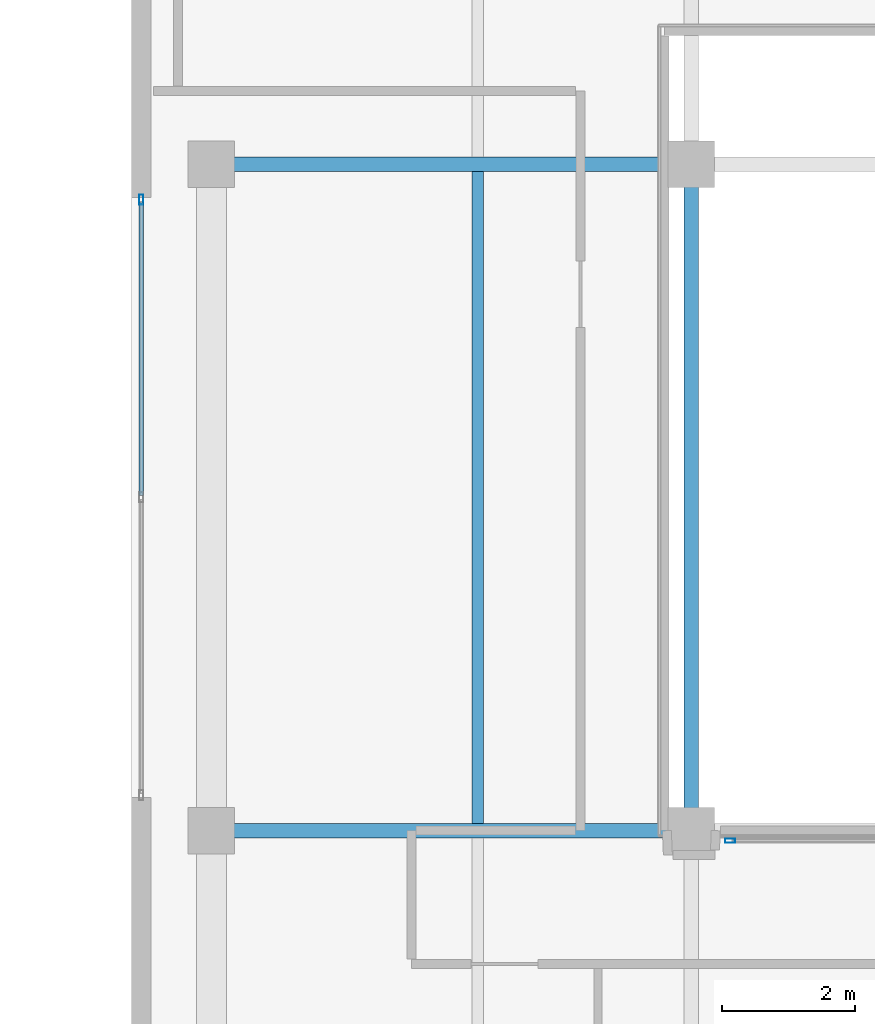
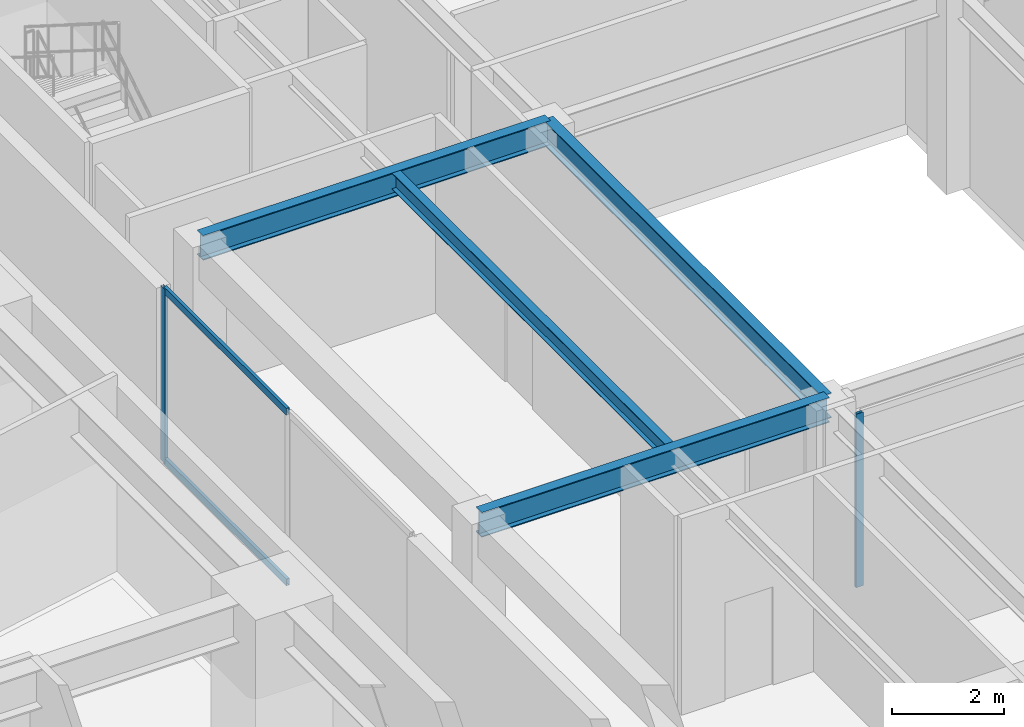
# One storey, part 8 of 24: 4 beams, 4 members, 2 elements without a shape of their own.
"""IFC4 building model written with IfcOpenShell, lengths in metres."""

from ifc_helpers import new_model, si_unit, direction, frame, origin, origin_2d, place, context, subcontext, project, spatial, hollow_rectangle, i_section, extrude, source, transform, mapped, material, layer, layer_set, material_profile, profile_set, type_object, type_shapes, element, aggregate, save


model = new_model("IFC4")

# Units and contexts
model_context = context("Model", 3, precision=1e-05, world=origin(), true_north=direction((0.0, 1.0)))
body_context = subcontext(model_context, "Body", "Model", "MODEL_VIEW")
ifc_project = project(units=[si_unit("LENGTHUNIT", "METRE"), si_unit("AREAUNIT", "SQUARE_METRE"), si_unit("VOLUMEUNIT", "CUBIC_METRE"), si_unit("PLANEANGLEUNIT", "RADIAN"), si_unit("MASSUNIT", "GRAM", prefix="KILO")], contexts=[model_context])

# Site, building, storey
site_placement = place(None, origin())
site = spatial("IfcSite", under=ifc_project, at=site_placement, CompositionType="ELEMENT")
building_placement = place(site_placement, origin())
building = spatial("IfcBuilding", under=site, at=building_placement, Name="Talar Marvaseh", CompositionType="ELEMENT")
storey_placement = place(building_placement, frame((0.0, 0.0, 9.800048828125)))
storey = spatial("IfcBuildingStorey", under=building, at=storey_placement, Name="L02", CompositionType="ELEMENT", Elevation=9.800048828125)

# Beams
ifc_material_1 = material(Name="Steel S355", Category="steel")
ifc_material_profile_1 = material_profile(ifc_material_1, i_section(OverallWidth=0.2119140625, OverallDepth=0.5439453125, WebThickness=0.01318359375, FlangeThickness=0.021240234375, at=origin_2d()), Name="W530x123")
ifc_profile_set_1 = profile_set([ifc_material_profile_1], Name="Steel S355")
beam_type_1 = type_object("IfcBeamType", Name="Market Hall Primary Girder W530x123", PredefinedType="BEAM", material=ifc_profile_set_1)
for number, where, z_axis, x_axis, name in (
    (1, (55.199951171875, 26.0, 4.02783203125), (1.0, 0.0, 0.0), (0.0, 1.0, 0.0), "L02 Market Hall Primary Girder W530x123"),
    (2, (55.199951171875, 36.0, 4.02783203125), (1.0, 0.0, 0.0), (0.0, 1.0, 0.0), "L02 Market Hall Primary Girder W530x123"),
):
    element("IfcBeam", number, at=place(storey_placement, frame(where, z_axis=z_axis, x_axis=x_axis)), inside=storey, type_object=beam_type_1, Name=name, PredefinedType="BEAM", context=body_context, shape_type="SweptSolid", body=[
        extrude(i_section(OverallWidth=0.2119140625, OverallDepth=0.5439453125, WebThickness=0.01318359375, FlangeThickness=0.021240234375, at=origin_2d()), origin(), (0.0, 0.0, 1.0), 7.199951171875),
    ])
beam_1_placement = place(storey_placement, frame((62.39990234375, 26.0, 4.02783203125), z_axis=(0.0, 1.0, 0.0), x_axis=(-1.0, 0.0, 0.0)))
element("IfcBeam", 3, at=beam_1_placement, inside=storey, type_object=beam_type_1, Name="L02 Market Hall Primary Girder W530x123", PredefinedType="BEAM", context=body_context, shape_type="SweptSolid", body=[
    extrude(i_section(OverallWidth=0.2119140625, OverallDepth=0.5439453125, WebThickness=0.01318359375, FlangeThickness=0.021240234375, at=origin_2d()), origin(), (0.0, 0.0, 1.0), 10.0),
])
ifc_material_profile_2 = material_profile(ifc_material_1, i_section(OverallWidth=0.172119140625, OverallDepth=0.35791015625, WebThickness=0.0078125, FlangeThickness=0.01318359375, at=origin_2d()), Name="W360x57")
ifc_profile_set_2 = profile_set([ifc_material_profile_2], Name="Steel S355")
beam_type_2 = type_object("IfcBeamType", Name="Zone 2 Secondary Floor Joist W360x57", PredefinedType="JOIST", material=ifc_profile_set_2)
beam_2_placement = place(storey_placement, frame((59.199951171875, 26.10498046875, 4.120849609375), z_axis=(0.0, 1.0, 0.0), x_axis=(-1.0, 0.0, 0.0)))
element("IfcBeam", 4, at=beam_2_placement, inside=storey, type_object=beam_type_2, Name="L02 Zone 2 Secondary Floor Joist W360x57", PredefinedType="JOIST", context=body_context, shape_type="SweptSolid", body=[
    extrude(i_section(OverallWidth=0.172119140625, OverallDepth=0.35791015625, WebThickness=0.0078125, FlangeThickness=0.01318359375, at=origin_2d()), origin(), (0.0, 0.0, 1.0), 9.7900390625),
])

# Curtain wall, members
ifc_material_2 = material(Name="Architectural Aluminium", Category="aluminium")
ifc_layer = layer(ifc_material_2, 0.169921875)
ifc_layer_set = layer_set([ifc_layer], Name="Architectural Aluminium")
curtain_wall_type = type_object("IfcCurtainWallType", Name="Market Hall Clerestory and Courtyard Curtain Wall", PredefinedType="NOTDEFINED", material=ifc_layer_set)
curtain_wall_1_placement = place(storey_placement, origin())
curtain_wall_1 = element("IfcCurtainWall", 5, at=curtain_wall_1_placement, inside=storey, type_object=curtain_wall_type, Name="L02 Market Hall Clerestory and Courtyard Curtain Wall", PredefinedType="NOTDEFINED")
ifc_material_profile_3 = material_profile(ifc_material_2, hollow_rectangle(XDim=0.06494140625, YDim=0.14990234375, WallThickness=0.00390625, at=origin_2d()), Name="RHS150x65x4")
ifc_profile_set_3 = profile_set([ifc_material_profile_3], Name="Architectural Aluminium")
member_type_1 = type_object("IfcMemberType", Name="Unitised Curtain Wall Slim Transom RHS150x65x4", PredefinedType="USERDEFINED", material=ifc_profile_set_3)
shared_shape_1 = source(origin(), body_context, "Body", "SweptSolid", [
    extrude(hollow_rectangle(XDim=0.06494140625, YDim=0.14990234375, WallThickness=0.00390625, at=origin_2d()), origin(), (0.0, 0.0, 1.0), 4.402587890625),
])
type_shapes(member_type_1, [shared_shape_1])
member_1_placement = place(storey_placement, frame((54.14990234375, 31.032470703125, 0.032470703125), z_axis=(0.0, 1.0, 0.0), x_axis=(-1.0, 0.0, 0.0)))
member_1 = element("IfcMember", 6, at=member_1_placement, type_object=member_type_1, Name="CW-MKT transom 2.1", ObjectType="TRANSOM", PredefinedType="USERDEFINED", context=body_context, shape_type="MappedRepresentation", body=[
    mapped(shared_shape_1, transform((0.0, 0.0, 0.0), x_axis=(1.0, 0.0, 0.0), y_axis=(0.0, 1.0, 0.0), z_axis=(0.0, 0.0, 1.0), scale=1.0)),
])
member_2_placement = place(storey_placement, frame((54.14990234375, 31.032470703125, 3.767333984375), z_axis=(0.0, 1.0, 0.0), x_axis=(-1.0, 0.0, 0.0)))
member_2 = element("IfcMember", 7, at=member_2_placement, type_object=member_type_1, Name="CW-MKT transom 2.2", ObjectType="TRANSOM", PredefinedType="USERDEFINED", context=body_context, shape_type="MappedRepresentation", body=[
    mapped(shared_shape_1, transform((0.0, 0.0, 0.0), x_axis=(1.0, 0.0, 0.0), y_axis=(0.0, 1.0, 0.0), z_axis=(0.0, 0.0, 1.0), scale=1.0)),
])
ifc_material_profile_4 = material_profile(ifc_material_2, hollow_rectangle(XDim=0.06494140625, YDim=0.14990234375, WallThickness=0.00390625, at=origin_2d()), Name="RHS150x65x4")
ifc_profile_set_4 = profile_set([ifc_material_profile_4], Name="Architectural Aluminium")
member_type_2 = type_object("IfcMemberType", Name="Unitised Curtain Wall Slim Mullion RHS150x65x4", PredefinedType="MULLION", material=ifc_profile_set_4)
shared_shape_2 = source(origin(), body_context, "Body", "SweptSolid", [
    extrude(hollow_rectangle(XDim=0.06494140625, YDim=0.14990234375, WallThickness=0.00390625, at=origin_2d()), origin(), (0.0, 0.0, 1.0), 3.800048828125),
])
type_shapes(member_type_2, [shared_shape_2])
member_3_placement = place(storey_placement, frame((54.14990234375, 35.467529296875, 0.0), z_axis=(0.0, 0.0, 1.0), x_axis=(-1.0, 0.0, 0.0)))
member_3 = element("IfcMember", 8, at=member_3_placement, type_object=member_type_2, Name="CW-MKT mullion 3", PredefinedType="MULLION", context=body_context, shape_type="MappedRepresentation", body=[
    mapped(shared_shape_2, transform((0.0, 0.0, 0.0), x_axis=(1.0, 0.0, 0.0), y_axis=(0.0, 1.0, 0.0), z_axis=(0.0, 0.0, 1.0), scale=1.0)),
])
aggregate(curtain_wall_1, [member_3, member_1, member_2])

# Curtain wall, member
curtain_wall_2_placement = place(storey_placement, origin())
curtain_wall_2 = element("IfcCurtainWall", 9, at=curtain_wall_2_placement, inside=storey, type_object=curtain_wall_type, Name="L02 Market Hall Clerestory and Courtyard Curtain Wall", PredefinedType="NOTDEFINED")
member_4_placement = place(storey_placement, frame((62.982421875, 25.85009765625, 0.0), z_axis=(0.0, 0.0, 1.0), x_axis=(0.0, 1.0, 0.0)))
member_4 = element("IfcMember", 10, at=member_4_placement, type_object=member_type_2, Name="CW-MKT mullion 1", PredefinedType="MULLION", context=body_context, shape_type="MappedRepresentation", body=[
    mapped(shared_shape_2, transform((0.0, 0.0, 0.0), x_axis=(1.0, 0.0, 0.0), y_axis=(0.0, 1.0, 0.0), z_axis=(0.0, 0.0, 1.0), scale=1.0)),
])
aggregate(curtain_wall_2, [member_4])

save(model, "model.ifc")
